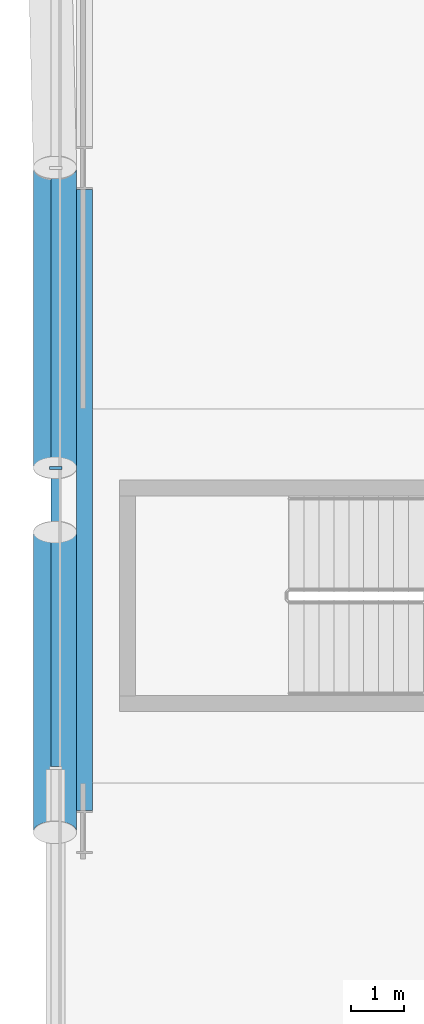
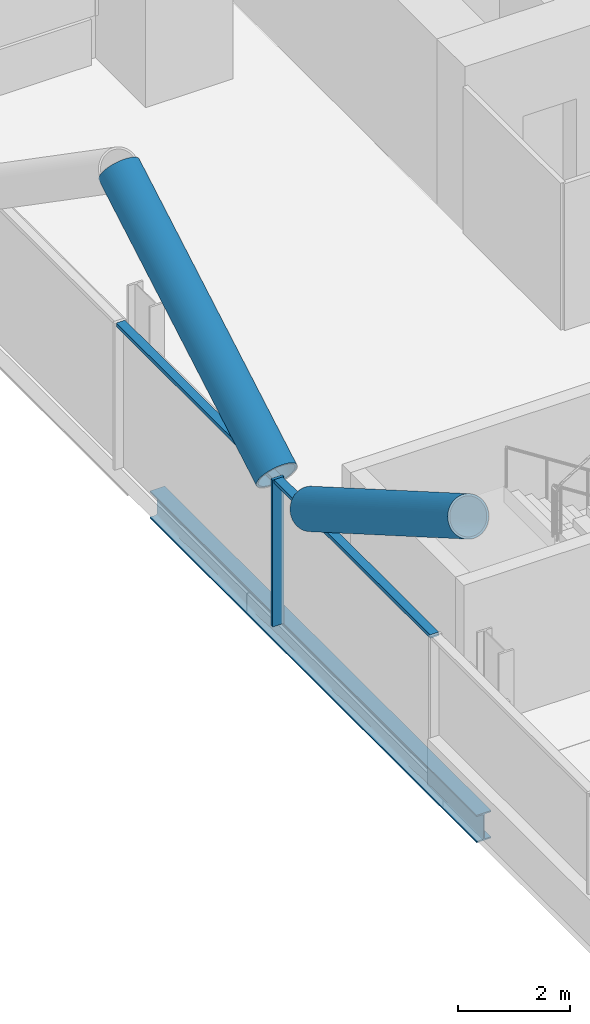
# One storey, part 6 of 31: 5 members, 1 beam, 1 element without a shape of its own.
"""IFC4 building model written with IfcOpenShell, lengths in metres."""

import ifcopenshell
import ifcopenshell.guid

model = None  # the IFC model being written
_history = None  # IfcOwnerHistory: only IFC2X3 demands one
_inside = {}  # id of a spatial element -> (the spatial element, [elements in it])
_under = {}  # id of a project, library or spatial element -> (it, [spatial elements below it])
_declared = {}  # id of a project -> (the project, [libraries it declares])
_typed = {}  # id of a type object -> (the type object, [elements of that type])
_made_of = {}  # id of a material, layer set ... -> (it, [elements and type objects made of it])


def new_model(schema):
    """Start an empty IFC model of exactly this schema.

    Asked for "IFC4X3", IfcOpenShell would pick the latest addendum, in which some entities
    have other attributes; the version numbers below select the first issue.
    IFC2X3 requires an IfcOwnerHistory on every rooted entity: one is made here for all.
    """
    global model, _history
    if schema == "IFC4X3":
        model = ifcopenshell.file(schema_version=(4, 3, 0, 0))
    else:
        model = ifcopenshell.file(schema=schema)
    _inside.clear()
    _under.clear()
    _declared.clear()
    _typed.clear()
    _made_of.clear()
    _history = None
    if model.schema == "IFC2X3":
        org = make("IfcOrganization", Name="unknown")
        user = make(
            "IfcPersonAndOrganization",
            ThePerson=make("IfcPerson", FamilyName="unknown"),
            TheOrganization=org,
        )
        app = make(
            "IfcApplication",
            ApplicationDeveloper=org,
            Version="unknown",
            ApplicationFullName="unknown",
            ApplicationIdentifier="unknown",
        )
        _history = make(
            "IfcOwnerHistory",
            OwningUser=user,
            OwningApplication=app,
            ChangeAction="ADDED",
            CreationDate=0,
        )
    return model


def make(cls, **values):
    """One entity of the class cls with the attributes given. An attribute that is None is left unset."""
    return model.create_entity(
        cls, **{name: value for name, value in values.items() if value is not None}
    )


def rooted(cls, **values):
    """An entity with a GlobalId (a new one), such as an element, a storey or a relation."""
    return make(cls, GlobalId=ifcopenshell.guid.new(), OwnerHistory=_history, **values)


def si_unit(unit_type, name, prefix=None):
    """IfcSIUnit, for example si_unit("LENGTHUNIT", "METRE", prefix="MILLI")."""
    return make("IfcSIUnit", UnitType=unit_type, Prefix=prefix, Name=name)


def assignment(units):
    """IfcUnitAssignment: the units of a project."""
    return None if units is None else make("IfcUnitAssignment", Units=units)


def point(xyz):
    """IfcCartesianPoint."""
    return None if xyz is None else make("IfcCartesianPoint", Coordinates=xyz)


def direction(xyz):
    """IfcDirection."""
    return None if xyz is None else make("IfcDirection", DirectionRatios=xyz)


def frame(location, z_axis=None, x_axis=None):
    """IfcAxis2Placement3D, a coordinate frame: its origin and axes. An axis left out is left unset."""
    return make(
        "IfcAxis2Placement3D",
        Location=point(location),
        Axis=direction(z_axis),
        RefDirection=direction(x_axis),
    )


def frame_2d(location, x_axis=None):
    """IfcAxis2Placement2D, a coordinate frame in the plane: its origin and x axis."""
    return make(
        "IfcAxis2Placement2D", Location=point(location), RefDirection=direction(x_axis)
    )


def origin():
    """The frame at (0, 0, 0) with its axes left unset."""
    return frame((0.0, 0.0, 0.0))


def origin_2d():
    """The frame at (0, 0) in the plane with its x axis left unset."""
    return frame_2d((0.0, 0.0))


def place(relative_to, where):
    """IfcLocalPlacement: puts the frame where relative to a parent placement (None: the world)."""
    return make(
        "IfcLocalPlacement", PlacementRelTo=relative_to, RelativePlacement=where
    )


def context(
    kind, dimensions, precision=None, world=None, true_north=None, identifier=None
):
    """IfcGeometricRepresentationContext, for example the 3D "Model" context."""
    return make(
        "IfcGeometricRepresentationContext",
        ContextIdentifier=identifier,
        ContextType=kind,
        CoordinateSpaceDimension=dimensions,
        Precision=precision,
        WorldCoordinateSystem=world,
        TrueNorth=true_north,
    )


def subcontext(parent, identifier, kind, view, scale=None):
    """IfcGeometricRepresentationSubContext, for example "Body" below "Model"."""
    return make(
        "IfcGeometricRepresentationSubContext",
        ContextIdentifier=identifier,
        ContextType=kind,
        ParentContext=parent,
        TargetScale=scale,
        TargetView=view,
    )


def project(units=None, contexts=None):
    """IfcProject with its units and contexts."""
    return rooted(
        "IfcProject",
        Name="project",
        RepresentationContexts=contexts,
        UnitsInContext=assignment(units),
    )


def spatial(cls, under=None, at=None, **own):
    """A site, building, storey or space (cls), placed at a placement, below another one or the project."""
    s = rooted(cls, ObjectPlacement=at, **own)
    if under is not None:
        _under.setdefault(under.id(), (under, []))[1].append(s)
    return s


def profile(cls, at=None, kind="AREA", **sizes):
    """A parametric profile (cls). Its sizes go by their IFC names, for example OverallWidth=200.0."""
    return make(cls, ProfileType=kind, Position=at, **sizes)


def rectangle(**sizes):
    """IfcRectangleProfileDef."""
    return profile("IfcRectangleProfileDef", **sizes)


def hollow_circle(**sizes):
    """IfcCircleHollowProfileDef."""
    return profile("IfcCircleHollowProfileDef", **sizes)


def i_section(**sizes):
    """IfcIShapeProfileDef."""
    return profile("IfcIShapeProfileDef", **sizes)


def extrude(swept, where, along, depth):
    """IfcExtrudedAreaSolid: the profile swept, set in the frame where, extruded along a direction by depth."""
    return make(
        "IfcExtrudedAreaSolid",
        SweptArea=swept,
        Position=where,
        ExtrudedDirection=direction(along),
        Depth=depth,
    )


def shape(context_of_items, identifier, shape_type, items):
    """IfcShapeRepresentation: the items that make up one representation, for example the "Body"."""
    return make(
        "IfcShapeRepresentation",
        ContextOfItems=context_of_items,
        RepresentationIdentifier=identifier,
        RepresentationType=shape_type,
        Items=items,
    )


def material(Name=None, Category=None):
    """IfcMaterial."""
    return make("IfcMaterial", Name=Name, Category=Category)


def material_profile(
    of_material, cross_section, Name=None, Category=None, Priority=None
):
    """IfcMaterialProfile: a cross section and its material."""
    return make(
        "IfcMaterialProfile",
        Name=Name,
        Material=of_material,
        Profile=cross_section,
        Priority=Priority,
        Category=Category,
    )


def profile_set(profiles, Name=None, composite=None):
    """IfcMaterialProfileSet."""
    return make(
        "IfcMaterialProfileSet",
        Name=Name,
        MaterialProfiles=profiles,
        CompositeProfile=composite,
    )


def made_of(thing, what):
    """Note that an element or type object is made of a material, layer set ...; save() writes the relation."""
    if what is not None:
        _made_of.setdefault(what.id(), (what, []))[1].append(thing)
    return thing


def type_object(cls, material=None, **own):
    """A type object (cls), such as IfcWallType, which elements share."""
    return made_of(rooted(cls, **own), material)


def element(
    cls,
    number,
    at=None,
    inside=None,
    cuts=None,
    type_object=None,
    material=None,
    context=None,
    identifier="Body",
    shape_type=None,
    held_by="IfcProductDefinitionShape",
    body=None,
    shapes=None,
    **own,
):
    """One element of the class cls, such as IfcWall. Its Tag is "e" and its number.

    at: its placement. inside: the storey or other place that contains it. cuts: it is an
    opening in that element (IfcRelVoidsElement). A single representation is given by context,
    identifier, shape_type and body (its items); several are given by shapes. held_by: the class
    of the entity that holds the representations. save() writes the other relations.
    """
    e = rooted(cls, Tag="e%d" % number, ObjectPlacement=at, **own)
    if body is not None:
        shapes = [shape(context, identifier, shape_type, body)]
    if shapes is not None:
        e.Representation = make(held_by, Representations=shapes)
    if inside is not None:
        _inside.setdefault(inside.id(), (inside, []))[1].append(e)
    if cuts is not None:
        rooted(
            "IfcRelVoidsElement", RelatingBuildingElement=cuts, RelatedOpeningElement=e
        )
    if type_object is not None:
        _typed.setdefault(type_object.id(), (type_object, []))[1].append(e)
    return made_of(e, material)


def aggregate(whole, parts):
    """IfcRelAggregates: a whole, such as a stair, and the parts it consists of."""
    return rooted("IfcRelAggregates", RelatingObject=whole, RelatedObjects=parts)


def save(model, path):
    """Write the relations noted so far, then the file.

    IfcRelAggregates (storeys below a building ...), IfcRelContainedInSpatialStructure (elements
    in a storey), IfcRelDefinesByType, IfcRelAssociatesMaterial and IfcRelDeclares: one each for
    every whole, place, type object, material and project.
    """
    for whole, parts in _under.values():
        aggregate(whole, parts)
    for where, things in _inside.values():
        rooted(
            "IfcRelContainedInSpatialStructure",
            RelatedElements=things,
            RelatingStructure=where,
        )
    for kind, things in _typed.values():
        rooted("IfcRelDefinesByType", RelatedObjects=things, RelatingType=kind)
    for what, things in _made_of.values():
        rooted("IfcRelAssociatesMaterial", RelatedObjects=things, RelatingMaterial=what)
    for by, libraries in _declared.values():
        rooted("IfcRelDeclares", RelatingContext=by, RelatedDefinitions=libraries)
    model.write(path)


model = new_model("IFC4")

# Units and contexts
model_context = context("Model", 3, precision=1e-05, world=origin(), true_north=direction((0.0, 1.0)))
body_context = subcontext(model_context, "Body", "Model", "MODEL_VIEW")
ifc_project = project(units=[si_unit("LENGTHUNIT", "METRE"), si_unit("AREAUNIT", "SQUARE_METRE"), si_unit("VOLUMEUNIT", "CUBIC_METRE"), si_unit("PLANEANGLEUNIT", "RADIAN"), si_unit("MASSUNIT", "GRAM", prefix="KILO")], contexts=[model_context])

# Site, building, storey
site_placement = place(None, origin())
site = spatial("IfcSite", under=ifc_project, at=site_placement, CompositionType="ELEMENT")
building_placement = place(site_placement, origin())
building = spatial("IfcBuilding", under=site, at=building_placement, Name="Wharfspan Tower", CompositionType="ELEMENT")
storey_placement = place(building_placement, frame((0.0, 0.0, 103.899902)))
storey = spatial("IfcBuildingStorey", under=building, at=storey_placement, Name="L23", CompositionType="ELEMENT", Elevation=103.899902)

# Beam
ifc_material_1 = material(Name="Steel S355J2", Category="steel")
ifc_material_profile_1 = material_profile(ifc_material_1, i_section(OverallWidth=0.300049, OverallDepth=0.600098, WebThickness=0.015381, FlangeThickness=0.030029, FilletRadius=0.0271, at=origin_2d()))
ifc_profile_set_1 = profile_set([ifc_material_profile_1], Name="Steel S355J2")
beam_type = type_object("IfcBeamType", Name="Edge beam HEB 600", PredefinedType="SPANDREL", material=ifc_profile_set_1)
beam_placement = place(storey_placement, frame((7.540039, 30.330322, -0.699951), z_axis=(0.0, -1.0, 0.0), x_axis=(1.0, 0.0, 0.0)))
element("IfcBeam", 1, at=beam_placement, inside=storey, type_object=beam_type, Name="Edge beam W L23 PW.1 to PW.2", PredefinedType="SPANDREL", context=body_context, shape_type="SweptSolid", body=[
    extrude(i_section(OverallWidth=0.300049, OverallDepth=0.600098, WebThickness=0.015381, FlangeThickness=0.030029, FilletRadius=0.0271, at=origin_2d()), origin(), (0.0, 0.0, 1.0), 11.660645),
])

# Curtain wall, member
ifc_material_2 = material(Name="Aluminium 6063-T6", Category="aluminium")
curtain_wall_type = type_object("IfcCurtainWallType", Name="CURTAIN WALL PROW AND END", PredefinedType="NOTDEFINED", material=ifc_material_2)
curtain_wall_placement = place(storey_placement, origin())
curtain_wall = element("IfcCurtainWall", 2, at=curtain_wall_placement, inside=storey, type_object=curtain_wall_type, Name="Curtain wall W", PredefinedType="NOTDEFINED")
ifc_material_profile_2 = material_profile(ifc_material_2, rectangle(XDim=0.23999, YDim=0.060059, at=origin_2d()))
ifc_profile_set_2 = profile_set([ifc_material_profile_2], Name="Aluminium 6063-T6")
member_type_1 = type_object("IfcMemberType", Name="MULLION PROW AND END 60x240", PredefinedType="MULLION", material=ifc_profile_set_2)
member_1_placement = place(storey_placement, frame((7.0, 25.100098, 0.0), z_axis=(0.0, 0.0, 1.0), x_axis=(1.0, 0.0, 0.0)))
member_1 = element("IfcMember", 3, at=member_1_placement, type_object=member_type_1, Name="Curtain wall W mullion 4", PredefinedType="MULLION", context=body_context, shape_type="SweptSolid", body=[
    extrude(rectangle(XDim=0.23999, YDim=0.060059, at=origin_2d()), origin(), (0.0, 0.0, 1.0), 3.200195),
])

# Members
ifc_material_3 = material(Name="Steel S460NH", Category="steel")
ifc_material_profile_3 = material_profile(ifc_material_3, hollow_circle(Radius=0.406494, WallThickness=0.040039, at=origin_2d()))
ifc_profile_set_3 = profile_set([ifc_material_profile_3], Name="Steel S460NH")
member_type_2 = type_object("IfcMemberType", Name="Mega brace CHS 813x40", PredefinedType="BRACE", material=ifc_profile_set_3)
for number, where, z_axis, x_axis, name in (
    (4, (6.985107, 23.894043, 3.25), (0.0, -0.865959, 0.500115), (1.0, 0.0, 0.0), "Mega brace W3 L23 part 2"),
    (5, (6.985107, 25.105957, 3.25), (0.0, 0.865959, 0.500115), (-1.0, 0.0, 0.0), "Mega brace W3 L23 part 4"),
):
    element("IfcMember", number, at=place(storey_placement, frame(where, z_axis=z_axis, x_axis=x_axis)), inside=storey, type_object=member_type_2, Name=name, PredefinedType="BRACE", context=body_context, shape_type="SweptSolid", body=[
        extrude(hollow_circle(Radius=0.406494, WallThickness=0.040039, at=origin_2d()), origin(), (0.0, 0.0, 1.0), 6.498535),
    ])

# Member
ifc_material_profile_4 = material_profile(ifc_material_2, rectangle(XDim=0.179932, YDim=0.080078, at=origin_2d()))
ifc_profile_set_4 = profile_set([ifc_material_profile_4], Name="Aluminium 6063-T6")
member_type_3 = type_object("IfcMemberType", Name="TRANSOM PROW AND END 80x180", PredefinedType="USERDEFINED", material=ifc_profile_set_4)
member_2_placement = place(storey_placement, frame((7.0, 30.703369, 3.160156), z_axis=(0.0, -1.0, 0.0), x_axis=(1.0, 0.0, 0.0)))
member_2 = element("IfcMember", 6, at=member_2_placement, type_object=member_type_3, Name="Curtain wall W transom 3", ObjectType="TRANSOM", PredefinedType="USERDEFINED", context=body_context, shape_type="SweptSolid", body=[
    extrude(rectangle(XDim=0.179932, YDim=0.080078, at=origin_2d()), origin(), (0.0, 0.0, 1.0), 5.573486),
])

member_3_placement = place(storey_placement, frame((7.0, 25.070068, 3.160156), z_axis=(0.0, -1.0, 0.0), x_axis=(1.0, 0.0, 0.0)))
member_3 = element("IfcMember", 7, at=member_3_placement, type_object=member_type_3, Name="Curtain wall W transom 4", ObjectType="TRANSOM", PredefinedType="USERDEFINED", context=body_context, shape_type="SweptSolid", body=[
    extrude(rectangle(XDim=0.179932, YDim=0.080078, at=origin_2d()), origin(), (0.0, 0.0, 1.0), 5.573486),
])

aggregate(curtain_wall, [member_1, member_2, member_3])

save(model, "model.ifc")
